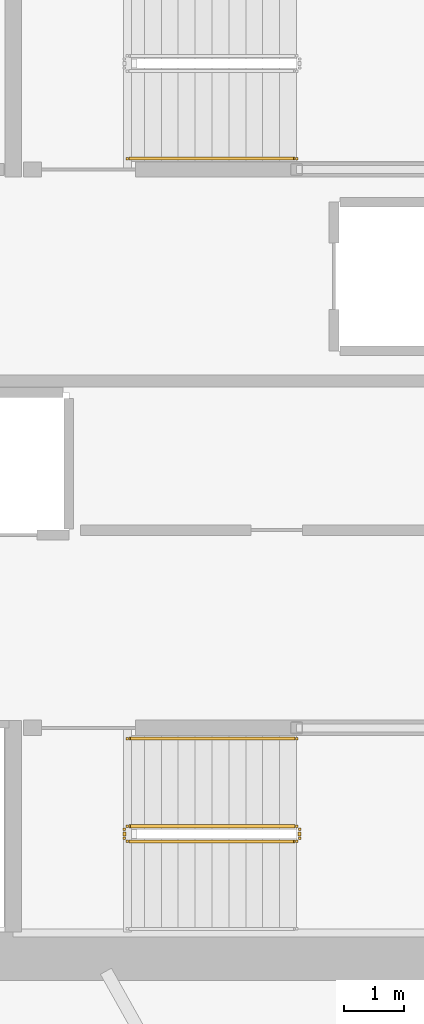
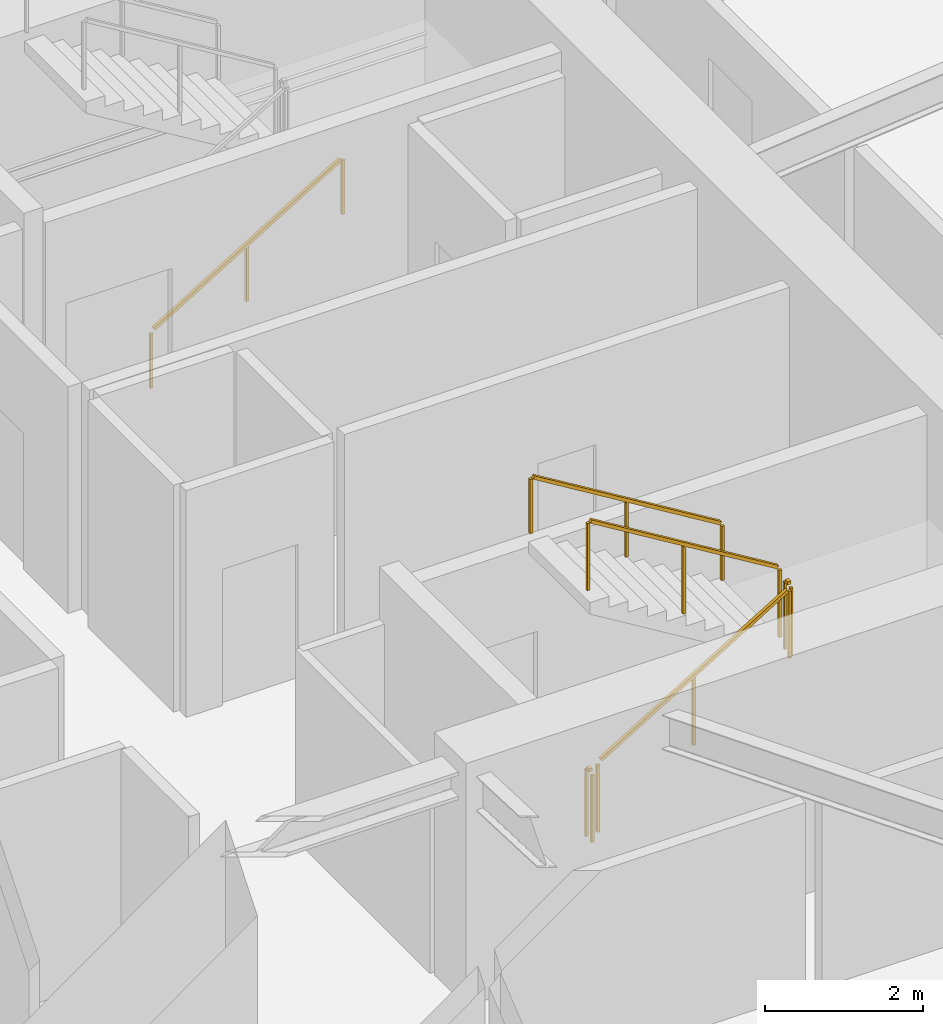
# One storey, part 20 of 23: 6 railings.
"""IFC4 building model written with IfcOpenShell, lengths in metres."""

from ifc_helpers import new_model, si_unit, direction, frame, origin, origin_2d, place, context, subcontext, project, spatial, rectangle, extrude, material, type_object, element, save


model = new_model("IFC4")

# Units and contexts
model_context = context("Model", 3, precision=1e-05, world=origin(), true_north=direction((0.0, 1.0)))
body_context = subcontext(model_context, "Body", "Model", "MODEL_VIEW")
ifc_project = project(units=[si_unit("LENGTHUNIT", "METRE"), si_unit("AREAUNIT", "SQUARE_METRE"), si_unit("VOLUMEUNIT", "CUBIC_METRE"), si_unit("PLANEANGLEUNIT", "RADIAN"), si_unit("MASSUNIT", "GRAM", prefix="KILO")], contexts=[model_context])

# Site, building, storey
site_placement = place(None, origin())
site = spatial("IfcSite", under=ifc_project, at=site_placement, CompositionType="ELEMENT")
building_placement = place(site_placement, origin())
building = spatial("IfcBuilding", under=site, at=building_placement, Name="Kazma Halo Residences", CompositionType="ELEMENT")
storey_placement = place(building_placement, frame((0.0, 0.0, 86.39990234375)))
storey = spatial("IfcBuildingStorey", under=building, at=storey_placement, Name="L21", CompositionType="ELEMENT", Elevation=86.39990234375)

# Railings
ifc_material_1 = material(Name="Painted Steel S355", Category="steel")
railing_type_1 = type_object("IfcRailingType", Name="RLG-STAIR-GRD-1100", PredefinedType="GUARDRAIL", material=ifc_material_1)
railing_1_placement = place(storey_placement, frame((53.199951171875, 35.5, 0.170654296875)))
element("IfcRailing", 1, at=railing_1_placement, inside=storey, type_object=railing_type_1, Name="L21 ST-03 stair guard 1", PredefinedType="GUARDRAIL", context=body_context, shape_type="SweptSolid", body=[
    extrude(rectangle(XDim=0.050048828125, YDim=0.050048828125, at=origin_2d()), frame((0.036376953125, 0.0, 1.09716796875), z_axis=(0.854202870247, 0.0, 0.519939858505), x_axis=(0.0, 1.0, 0.0)), (0.0, 0.0, 1.0), 3.19287109375),
    extrude(rectangle(XDim=0.0400390625, YDim=0.0400390625, at=origin_2d()), origin(), (0.0, 0.0, 1.0), 1.0380859375),
    extrude(rectangle(XDim=0.0400390625, YDim=0.0400390625, at=origin_2d()), frame((1.39990234375, 0.0, 0.85205078125)), (0.0, 0.0, 1.0), 1.0380859375),
    extrude(rectangle(XDim=0.0400390625, YDim=0.0400390625, at=origin_2d()), frame((2.800048828125, 0.0, 1.704345703125)), (0.0, 0.0, 1.0), 1.0380859375),
])
railing_2_placement = place(storey_placement, frame((56.050048828125, 35.550048828125, 1.875)))
element("IfcRailing", 2, at=railing_2_placement, inside=storey, type_object=railing_type_1, Name="L21 ST-03 stair guard 2", PredefinedType="GUARDRAIL", context=body_context, shape_type="SweptSolid", body=[
    extrude(rectangle(XDim=0.050048828125, YDim=0.050048828125, at=origin_2d()), frame((0.0, 0.04248046875, 1.0751953125), z_axis=(0.0, 1.0, 0.0), x_axis=(-1.0, 0.0, 0.0)), (0.0, 0.0, 1.0), 0.06494140625),
    extrude(rectangle(XDim=0.0400390625, YDim=0.0400390625, at=origin_2d()), origin(), (0.0, 0.0, 1.0), 1.0380859375),
    extrude(rectangle(XDim=0.0400390625, YDim=0.0400390625, at=origin_2d()), frame((0.0, 0.14990234375, 0.0)), (0.0, 0.0, 1.0), 1.0380859375),
])
railing_3_placement = place(storey_placement, frame((56.0, 35.75, 2.045654296875)))
element("IfcRailing", 3, at=railing_3_placement, inside=storey, type_object=railing_type_1, Name="L21 ST-03 stair guard 3", PredefinedType="GUARDRAIL", context=body_context, shape_type="SweptSolid", body=[
    extrude(rectangle(XDim=0.050048828125, YDim=0.050048828125, at=origin_2d()), frame((-0.036376953125, 0.0, 1.09716796875), z_axis=(-0.854202870247, 0.0, 0.519939858505), x_axis=(0.0, -1.0, 0.0)), (0.0, 0.0, 1.0), 3.19287109375),
    extrude(rectangle(XDim=0.0400390625, YDim=0.0400390625, at=origin_2d()), origin(), (0.0, 0.0, 1.0), 1.0380859375),
    extrude(rectangle(XDim=0.0400390625, YDim=0.0400390625, at=origin_2d()), frame((-1.39990234375, 0.0, 0.85205078125)), (0.0, 0.0, 1.0), 1.0380859375),
    extrude(rectangle(XDim=0.0400390625, YDim=0.0400390625, at=origin_2d()), frame((-2.800048828125, 0.0, 1.704345703125)), (0.0, 0.0, 1.0), 1.0380859375),
])
railing_4_placement = place(storey_placement, frame((53.14990234375, 35.550048828125, 0.0)))
element("IfcRailing", 4, at=railing_4_placement, inside=storey, type_object=railing_type_1, Name="L21 ST-03 stair guard 4", PredefinedType="GUARDRAIL", context=body_context, shape_type="SweptSolid", body=[
    extrude(rectangle(XDim=0.050048828125, YDim=0.050048828125, at=origin_2d()), frame((0.0, 0.04248046875, 1.0751953125), z_axis=(0.0, 1.0, 0.0), x_axis=(-1.0, 0.0, 0.0)), (0.0, 0.0, 1.0), 0.06494140625),
    extrude(rectangle(XDim=0.0400390625, YDim=0.0400390625, at=origin_2d()), origin(), (0.0, 0.0, 1.0), 1.0380859375),
    extrude(rectangle(XDim=0.0400390625, YDim=0.0400390625, at=origin_2d()), frame((0.0, 0.14990234375, 0.0)), (0.0, 0.0, 1.0), 1.0380859375),
])
ifc_material_2 = material(Name="Brushed Stainless Steel", Category="steel")
railing_type_2 = type_object("IfcRailingType", Name="RLG-STAIR-HND-900", PredefinedType="HANDRAIL", material=ifc_material_2)
railing_5_placement = place(storey_placement, frame((53.199951171875, 46.800048828125, 0.170654296875)))
element("IfcRailing", 5, at=railing_5_placement, inside=storey, type_object=railing_type_2, Name="L21 ST-02 stair handrail 1", PredefinedType="HANDRAIL", context=body_context, shape_type="SweptSolid", body=[
    extrude(rectangle(XDim=0.050048828125, YDim=0.050048828125, at=origin_2d()), frame((0.036376953125, 0.0, 0.89697265625), z_axis=(0.854202870247, 0.0, 0.519939858505), x_axis=(0.0, 1.0, 0.0)), (0.0, 0.0, 1.0), 3.19287109375),
    extrude(rectangle(XDim=0.0400390625, YDim=0.0400390625, at=origin_2d()), origin(), (0.0, 0.0, 1.0), 0.837890625),
    extrude(rectangle(XDim=0.0400390625, YDim=0.0400390625, at=origin_2d()), frame((1.39990234375, 0.0, 0.85205078125)), (0.0, 0.0, 1.0), 0.837890625),
    extrude(rectangle(XDim=0.0400390625, YDim=0.0400390625, at=origin_2d()), frame((2.800048828125, 0.0, 1.704345703125)), (0.0, 0.0, 1.0), 0.837890625),
])
railing_6_placement = place(storey_placement, frame((56.0, 37.199951171875, 2.045654296875)))
element("IfcRailing", 6, at=railing_6_placement, inside=storey, type_object=railing_type_2, Name="L21 ST-03 stair handrail 2", PredefinedType="HANDRAIL", context=body_context, shape_type="SweptSolid", body=[
    extrude(rectangle(XDim=0.050048828125, YDim=0.050048828125, at=origin_2d()), frame((-0.036376953125, 0.0, 0.89697265625), z_axis=(-0.854202870247, 0.0, 0.519939858505), x_axis=(0.0, -1.0, 0.0)), (0.0, 0.0, 1.0), 3.19287109375),
    extrude(rectangle(XDim=0.0400390625, YDim=0.0400390625, at=origin_2d()), origin(), (0.0, 0.0, 1.0), 0.837890625),
    extrude(rectangle(XDim=0.0400390625, YDim=0.0400390625, at=origin_2d()), frame((-1.39990234375, 0.0, 0.85205078125)), (0.0, 0.0, 1.0), 0.837890625),
    extrude(rectangle(XDim=0.0400390625, YDim=0.0400390625, at=origin_2d()), frame((-2.800048828125, 0.0, 1.704345703125)), (0.0, 0.0, 1.0), 0.837890625),
])

save(model, "model.ifc")
